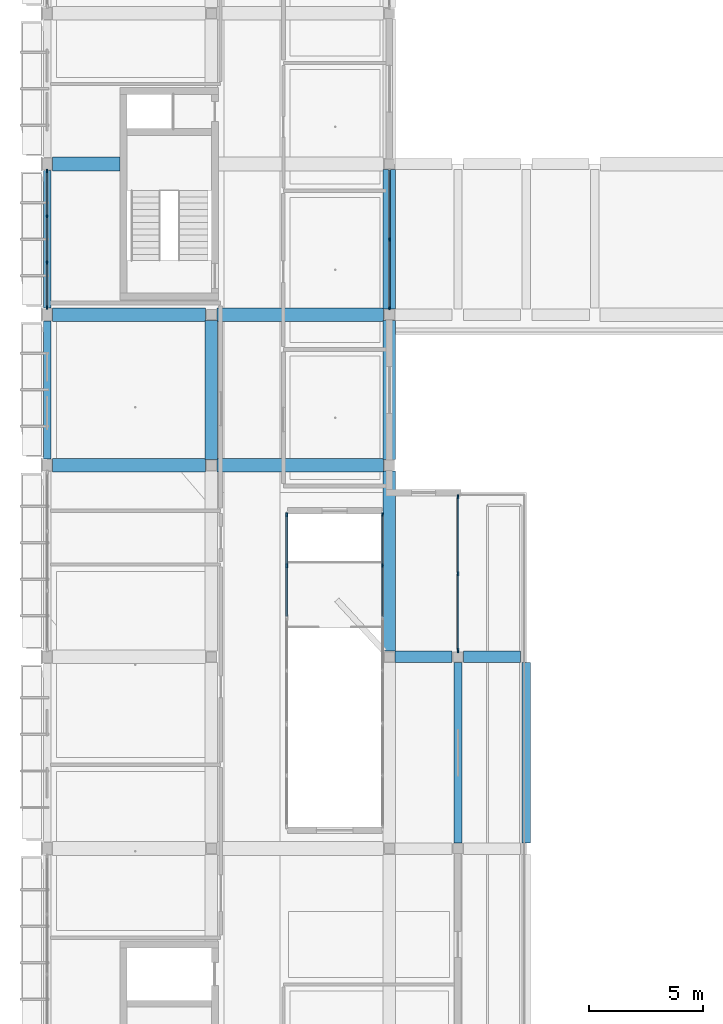
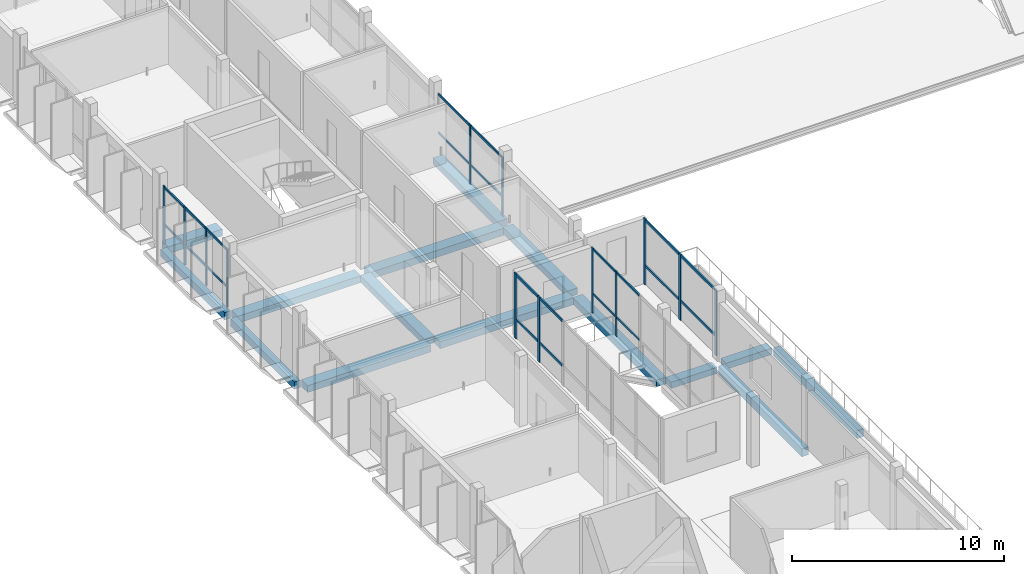
# One storey, part 8 of 86: 23 members, 15 beams, 5 elements without a shape of their own.
"""IFC4 building model written with IfcOpenShell, lengths in metres."""

from ifc_helpers import new_model, si_unit, derived_unit, direction, frame, origin, origin_2d, place, context, subcontext, project, spatial, rectangle, extrude, material, material_profile, profile_set, type_object, element, aggregate, save


model = new_model("IFC4")

# Units and contexts
model_context = context("Model", 3, precision=1e-05, world=origin(), true_north=direction((0.0, 1.0)))
body_context = subcontext(model_context, "Body", "Model", "MODEL_VIEW")
ifc_project = project(units=[si_unit("LENGTHUNIT", "METRE"), si_unit("AREAUNIT", "SQUARE_METRE"), si_unit("VOLUMEUNIT", "CUBIC_METRE"), si_unit("PLANEANGLEUNIT", "RADIAN"), si_unit("MASSUNIT", "GRAM", prefix="KILO"), derived_unit("THERMALTRANSMITTANCEUNIT", [(si_unit("POWERUNIT", "WATT"), 1), (si_unit("LENGTHUNIT", "METRE"), -2), (si_unit("THERMODYNAMICTEMPERATUREUNIT", "KELVIN"), -1)])], contexts=[model_context])

# Site, building, storey
site_placement = place(None, origin())
site = spatial("IfcSite", under=ifc_project, at=site_placement, CompositionType="ELEMENT")
building_placement = place(site_placement, origin())
building = spatial("IfcBuilding", under=site, at=building_placement, Name="Braskholm Square Health Centre", CompositionType="ELEMENT")
storey_placement = place(building_placement, frame((0.0, 0.0, 13.5)))
storey = spatial("IfcBuildingStorey", under=building, at=storey_placement, Name="L04", CompositionType="ELEMENT", Elevation=13.5)

# Curtain wall, members
ifc_material_1 = material(Name="Low-E triple insulating glass (VLT 0.64)", Category="glass")
curtain_wall_type_1 = type_object("IfcCurtainWallType", Name="UnitisedCurtainWall6200x3650", PredefinedType="NOTDEFINED", material=ifc_material_1)
curtain_wall_1_placement = place(storey_placement, origin())
curtain_wall_1 = element("IfcCurtainWall", 1, at=curtain_wall_1_placement, inside=storey, type_object=curtain_wall_type_1, Name="West Outer unitised curtain wall CW-L04-0028", PredefinedType="NOTDEFINED")
ifc_material_2 = material(Name="Architectural bronze anodised aluminium", Category="aluminium")
ifc_material_profile_1 = material_profile(ifc_material_2, rectangle(XDim=0.06494140625, YDim=0.14990234375, at=origin_2d()), Name="ALU-65X150")
ifc_profile_set_1 = profile_set([ifc_material_profile_1], Name="Architectural bronze anodised aluminium")
member_type_1 = type_object("IfcMemberType", Name="CurtainWallMullion65x150", PredefinedType="MULLION", material=ifc_profile_set_1)
member_1_placement = place(storey_placement, frame((4.199951171875, 93.49365234375, 0.0), z_axis=(0.0, 0.0, 1.0), x_axis=(1.0, 0.0, 0.0)))
member_1 = element("IfcMember", 2, at=member_1_placement, type_object=member_type_1, Name="CW-L04-0028 vertical mullion 1", PredefinedType="MULLION", context=body_context, shape_type="SweptSolid", body=[
    extrude(rectangle(XDim=0.06494140625, YDim=0.14990234375, at=origin_2d()), origin(), (0.0, 0.0, 1.0), 3.330078125),
])
member_2_placement = place(storey_placement, frame((4.199951171875, 91.510009765625, 0.0), z_axis=(0.0, 0.0, 1.0), x_axis=(1.0, 0.0, 0.0)))
member_2 = element("IfcMember", 3, at=member_2_placement, type_object=member_type_1, Name="CW-L04-0028 vertical mullion 2", PredefinedType="MULLION", context=body_context, shape_type="SweptSolid", body=[
    extrude(rectangle(XDim=0.06494140625, YDim=0.14990234375, at=origin_2d()), origin(), (0.0, 0.0, 1.0), 3.330078125),
])
member_3_placement = place(storey_placement, frame((4.199951171875, 89.489990234375, 0.0), z_axis=(0.0, 0.0, 1.0), x_axis=(1.0, 0.0, 0.0)))
member_3 = element("IfcMember", 4, at=member_3_placement, type_object=member_type_1, Name="CW-L04-0028 vertical mullion 3", PredefinedType="MULLION", context=body_context, shape_type="SweptSolid", body=[
    extrude(rectangle(XDim=0.06494140625, YDim=0.14990234375, at=origin_2d()), origin(), (0.0, 0.0, 1.0), 3.330078125),
])
member_4_placement = place(storey_placement, frame((4.199951171875, 87.50634765625, 0.0), z_axis=(0.0, 0.0, 1.0), x_axis=(1.0, 0.0, 0.0)))
member_4 = element("IfcMember", 5, at=member_4_placement, type_object=member_type_1, Name="CW-L04-0028 vertical mullion 4", PredefinedType="MULLION", context=body_context, shape_type="SweptSolid", body=[
    extrude(rectangle(XDim=0.06494140625, YDim=0.14990234375, at=origin_2d()), origin(), (0.0, 0.0, 1.0), 3.330078125),
])

curtain_wall_2_placement = place(storey_placement, origin())
curtain_wall_2 = element("IfcCurtainWall", 6, at=curtain_wall_2_placement, inside=storey, type_object=curtain_wall_type_1, Name="West Valley unitised curtain wall CW-L04-0100", PredefinedType="NOTDEFINED")
member_5_placement = place(storey_placement, frame((19.199951171875, 87.476806640625, 0.0), z_axis=(0.0, 0.0, 1.0), x_axis=(1.0, 0.0, 0.0)))
member_5 = element("IfcMember", 7, at=member_5_placement, type_object=member_type_1, Name="CW-L04-0100 vertical mullion 1", PredefinedType="MULLION", context=body_context, shape_type="SweptSolid", body=[
    extrude(rectangle(XDim=0.06494140625, YDim=0.14990234375, at=origin_2d()), origin(), (0.0, 0.0, 1.0), 3.419921875),
])
member_6_placement = place(storey_placement, frame((19.199951171875, 90.5, 0.0), z_axis=(0.0, 0.0, 1.0), x_axis=(1.0, 0.0, 0.0)))
member_6 = element("IfcMember", 8, at=member_6_placement, type_object=member_type_1, Name="CW-L04-0100 vertical mullion 2", PredefinedType="MULLION", context=body_context, shape_type="SweptSolid", body=[
    extrude(rectangle(XDim=0.06494140625, YDim=0.14990234375, at=origin_2d()), origin(), (0.0, 0.0, 1.0), 3.419921875),
])

curtain_wall_type_2 = type_object("IfcCurtainWallType", Name="UnitisedCurtainWall4800x3800", PredefinedType="NOTDEFINED", material=ifc_material_1)
curtain_wall_3_placement = place(storey_placement, origin())
curtain_wall_3 = element("IfcCurtainWall", 9, at=curtain_wall_3_placement, inside=storey, type_object=curtain_wall_type_2, Name="WC2 Court E unitised curtain wall CW-L04-0308", PredefinedType="NOTDEFINED")
member_7_placement = place(storey_placement, frame((18.89990234375, 78.432861328125, 0.0), z_axis=(0.0, 0.0, 1.0), x_axis=(1.0, 0.0, 0.0)))
member_7 = element("IfcMember", 10, at=member_7_placement, type_object=member_type_1, Name="CW-L04-0308 vertical mullion 1", PredefinedType="MULLION", context=body_context, shape_type="SweptSolid", body=[
    extrude(rectangle(XDim=0.06494140625, YDim=0.14990234375, at=origin_2d()), origin(), (0.0, 0.0, 1.0), 3.75),
])
member_8_placement = place(storey_placement, frame((18.89990234375, 76.198974609375, 0.0), z_axis=(0.0, 0.0, 1.0), x_axis=(1.0, 0.0, 0.0)))
member_8 = element("IfcMember", 11, at=member_8_placement, type_object=member_type_1, Name="CW-L04-0308 vertical mullion 2", PredefinedType="MULLION", context=body_context, shape_type="SweptSolid", body=[
    extrude(rectangle(XDim=0.06494140625, YDim=0.14990234375, at=origin_2d()), origin(), (0.0, 0.0, 1.0), 3.75),
])

curtain_wall_type_3 = type_object("IfcCurtainWallType", Name="UnitisedCurtainWall6200x3800", PredefinedType="NOTDEFINED", material=ifc_material_1)
curtain_wall_4_placement = place(storey_placement, origin())
curtain_wall_4 = element("IfcCurtainWall", 12, at=curtain_wall_4_placement, inside=storey, type_object=curtain_wall_type_3, Name="West Valley unitised curtain wall CW-L04-0099", PredefinedType="NOTDEFINED")
ifc_material_profile_2 = material_profile(ifc_material_2, rectangle(XDim=0.074951171875, YDim=0.179931640625, at=origin_2d()), Name="ALU-75X180")
ifc_profile_set_2 = profile_set([ifc_material_profile_2], Name="Architectural bronze anodised aluminium")
member_type_2 = type_object("IfcMemberType", Name="CurtainWallMullion75x180", PredefinedType="MULLION", material=ifc_profile_set_2)
member_9_placement = place(storey_placement, frame((22.199951171875, 72.48095703125, 0.0), z_axis=(0.0, 0.0, 1.0), x_axis=(1.0, 0.0, 0.0)))
member_9 = element("IfcMember", 13, at=member_9_placement, type_object=member_type_2, Name="CW-L04-0099 vertical mullion 1", PredefinedType="MULLION", context=body_context, shape_type="SweptSolid", body=[
    extrude(rectangle(XDim=0.074951171875, YDim=0.179931640625, at=origin_2d()), origin(), (0.0, 0.0, 1.0), 3.800048828125),
])
member_10_placement = place(storey_placement, frame((22.199951171875, 75.84912109375, 0.0), z_axis=(0.0, 0.0, 1.0), x_axis=(1.0, 0.0, 0.0)))
member_10 = element("IfcMember", 14, at=member_10_placement, type_object=member_type_2, Name="CW-L04-0099 vertical mullion 2", PredefinedType="MULLION", context=body_context, shape_type="SweptSolid", body=[
    extrude(rectangle(XDim=0.074951171875, YDim=0.179931640625, at=origin_2d()), origin(), (0.0, 0.0, 1.0), 3.800048828125),
])
member_11_placement = place(storey_placement, frame((22.199951171875, 79.217041015625, 0.0), z_axis=(0.0, 0.0, 1.0), x_axis=(1.0, 0.0, 0.0)))
member_11 = element("IfcMember", 15, at=member_11_placement, type_object=member_type_2, Name="CW-L04-0099 vertical mullion 3", PredefinedType="MULLION", context=body_context, shape_type="SweptSolid", body=[
    extrude(rectangle(XDim=0.074951171875, YDim=0.179931640625, at=origin_2d()), origin(), (0.0, 0.0, 1.0), 3.800048828125),
])

curtain_wall_5_placement = place(storey_placement, origin())
curtain_wall_5 = element("IfcCurtainWall", 16, at=curtain_wall_5_placement, inside=storey, type_object=curtain_wall_type_2, Name="WC2 Court W unitised curtain wall CW-L04-0307", PredefinedType="NOTDEFINED")
member_12_placement = place(storey_placement, frame((14.699951171875, 76.198974609375, 0.0), z_axis=(0.0, 0.0, 1.0), x_axis=(1.0, 0.0, 0.0)))
member_12 = element("IfcMember", 17, at=member_12_placement, type_object=member_type_2, Name="CW-L04-0307 vertical mullion 2", PredefinedType="MULLION", context=body_context, shape_type="SweptSolid", body=[
    extrude(rectangle(XDim=0.074951171875, YDim=0.179931640625, at=origin_2d()), origin(), (0.0, 0.0, 1.0), 3.75),
])
member_13_placement = place(storey_placement, frame((14.699951171875, 78.432861328125, 0.0), z_axis=(0.0, 0.0, 1.0), x_axis=(1.0, 0.0, 0.0)))
member_13 = element("IfcMember", 18, at=member_13_placement, type_object=member_type_2, Name="CW-L04-0307 vertical mullion 3", PredefinedType="MULLION", context=body_context, shape_type="SweptSolid", body=[
    extrude(rectangle(XDim=0.074951171875, YDim=0.179931640625, at=origin_2d()), origin(), (0.0, 0.0, 1.0), 3.75),
])

# Member
ifc_material_profile_3 = material_profile(ifc_material_2, rectangle(XDim=0.06494140625, YDim=0.1201171875, at=origin_2d()), Name="ALU-65X120")
ifc_profile_set_3 = profile_set([ifc_material_profile_3], Name="Architectural bronze anodised aluminium")
member_type_3 = type_object("IfcMemberType", Name="CurtainWallTransom65x120", PredefinedType="USERDEFINED", material=ifc_profile_set_3)
member_14_placement = place(storey_placement, frame((4.199951171875, 93.485107421875, 1.1201171875), z_axis=(0.0, -1.0, 0.0), x_axis=(1.0, 0.0, 0.0)))
member_14 = element("IfcMember", 19, at=member_14_placement, type_object=member_type_3, Name="CW-L04-0028 horizontal transom 1", ObjectType="TRANSOM", PredefinedType="USERDEFINED", context=body_context, shape_type="SweptSolid", body=[
    extrude(rectangle(XDim=0.06494140625, YDim=0.1201171875, at=origin_2d()), origin(), (0.0, 0.0, 1.0), 5.97021484375),
])

member_15_placement = place(storey_placement, frame((4.199951171875, 93.485107421875, 3.260009765625), z_axis=(0.0, -1.0, 0.0), x_axis=(1.0, 0.0, 0.0)))
member_15 = element("IfcMember", 20, at=member_15_placement, type_object=member_type_3, Name="CW-L04-0028 horizontal transom 2", ObjectType="TRANSOM", PredefinedType="USERDEFINED", context=body_context, shape_type="SweptSolid", body=[
    extrude(rectangle(XDim=0.06494140625, YDim=0.1201171875, at=origin_2d()), origin(), (0.0, 0.0, 1.0), 5.97021484375),
])

aggregate(curtain_wall_1, [member_1, member_2, member_3, member_4, member_14, member_15])

member_16_placement = place(storey_placement, frame((19.199951171875, 87.485107421875, 1.1201171875), z_axis=(0.0, 1.0, 0.0), x_axis=(-1.0, 0.0, 0.0)))
member_16 = element("IfcMember", 21, at=member_16_placement, type_object=member_type_3, Name="CW-L04-0100 horizontal transom 1", ObjectType="TRANSOM", PredefinedType="USERDEFINED", context=body_context, shape_type="SweptSolid", body=[
    extrude(rectangle(XDim=0.06494140625, YDim=0.1201171875, at=origin_2d()), origin(), (0.0, 0.0, 1.0), 6.02978515625),
])

member_17_placement = place(storey_placement, frame((19.199951171875, 87.485107421875, 3.35009765625), z_axis=(0.0, 1.0, 0.0), x_axis=(-1.0, 0.0, 0.0)))
member_17 = element("IfcMember", 22, at=member_17_placement, type_object=member_type_3, Name="CW-L04-0100 horizontal transom 2", ObjectType="TRANSOM", PredefinedType="USERDEFINED", context=body_context, shape_type="SweptSolid", body=[
    extrude(rectangle(XDim=0.06494140625, YDim=0.1201171875, at=origin_2d()), origin(), (0.0, 0.0, 1.0), 6.02978515625),
])

aggregate(curtain_wall_2, [member_5, member_6, member_16, member_17])

member_18_placement = place(storey_placement, frame((18.89990234375, 78.4150390625, 1.1201171875), z_axis=(0.0, -1.0, 0.0), x_axis=(1.0, 0.0, 0.0)))
member_18 = element("IfcMember", 23, at=member_18_placement, type_object=member_type_3, Name="CW-L04-0308 horizontal transom 1", ObjectType="TRANSOM", PredefinedType="USERDEFINED", context=body_context, shape_type="SweptSolid", body=[
    extrude(rectangle(XDim=0.06494140625, YDim=0.1201171875, at=origin_2d()), origin(), (0.0, 0.0, 1.0), 4.43212890625),
])

member_19_placement = place(storey_placement, frame((18.89990234375, 78.4150390625, 3.679931640625), z_axis=(0.0, -1.0, 0.0), x_axis=(1.0, 0.0, 0.0)))
member_19 = element("IfcMember", 24, at=member_19_placement, type_object=member_type_3, Name="CW-L04-0308 horizontal transom 2", ObjectType="TRANSOM", PredefinedType="USERDEFINED", context=body_context, shape_type="SweptSolid", body=[
    extrude(rectangle(XDim=0.06494140625, YDim=0.1201171875, at=origin_2d()), origin(), (0.0, 0.0, 1.0), 4.43212890625),
])

aggregate(curtain_wall_3, [member_7, member_8, member_18, member_19])

ifc_material_profile_4 = material_profile(ifc_material_2, rectangle(XDim=0.074951171875, YDim=0.139892578125, at=origin_2d()), Name="ALU-75X140")
ifc_profile_set_4 = profile_set([ifc_material_profile_4], Name="Architectural bronze anodised aluminium")
member_type_4 = type_object("IfcMemberType", Name="CurtainWallTransom75x140", PredefinedType="USERDEFINED", material=ifc_profile_set_4)
member_20_placement = place(storey_placement, frame((22.199951171875, 72.485107421875, 1.1201171875), z_axis=(0.0, 1.0, 0.0), x_axis=(-1.0, 0.0, 0.0)))
member_20 = element("IfcMember", 25, at=member_20_placement, type_object=member_type_4, Name="CW-L04-0099 horizontal transom 1", ObjectType="TRANSOM", PredefinedType="USERDEFINED", context=body_context, shape_type="SweptSolid", body=[
    extrude(rectangle(XDim=0.074951171875, YDim=0.139892578125, at=origin_2d()), origin(), (0.0, 0.0, 1.0), 6.727783203125),
])

member_21_placement = place(storey_placement, frame((22.199951171875, 72.485107421875, 3.72998046875), z_axis=(0.0, 1.0, 0.0), x_axis=(-1.0, 0.0, 0.0)))
member_21 = element("IfcMember", 26, at=member_21_placement, type_object=member_type_4, Name="CW-L04-0099 horizontal transom 2", ObjectType="TRANSOM", PredefinedType="USERDEFINED", context=body_context, shape_type="SweptSolid", body=[
    extrude(rectangle(XDim=0.074951171875, YDim=0.139892578125, at=origin_2d()), origin(), (0.0, 0.0, 1.0), 6.727783203125),
])

aggregate(curtain_wall_4, [member_9, member_10, member_11, member_20, member_21])

member_22_placement = place(storey_placement, frame((14.699951171875, 73.98291015625, 1.1201171875), z_axis=(0.0, 1.0, 0.0), x_axis=(-1.0, 0.0, 0.0)))
member_22 = element("IfcMember", 27, at=member_22_placement, type_object=member_type_4, Name="CW-L04-0307 horizontal transom 1", ObjectType="TRANSOM", PredefinedType="USERDEFINED", context=body_context, shape_type="SweptSolid", body=[
    extrude(rectangle(XDim=0.074951171875, YDim=0.139892578125, at=origin_2d()), origin(), (0.0, 0.0, 1.0), 4.43212890625),
])

member_23_placement = place(storey_placement, frame((14.699951171875, 73.98291015625, 3.679931640625), z_axis=(0.0, 1.0, 0.0), x_axis=(-1.0, 0.0, 0.0)))
member_23 = element("IfcMember", 28, at=member_23_placement, type_object=member_type_4, Name="CW-L04-0307 horizontal transom 2", ObjectType="TRANSOM", PredefinedType="USERDEFINED", context=body_context, shape_type="SweptSolid", body=[
    extrude(rectangle(XDim=0.074951171875, YDim=0.139892578125, at=origin_2d()), origin(), (0.0, 0.0, 1.0), 4.43212890625),
])

aggregate(curtain_wall_5, [member_12, member_13, member_22, member_23])

# Beams
ifc_material_3 = material(Name="Concrete C35/45 (f'c = 35 MPa)", Category="concrete")
ifc_material_profile_5 = material_profile(ifc_material_3, rectangle(XDim=0.5, YDim=0.360107421875, at=origin_2d()), Name="RCB-500X360")
ifc_profile_set_5 = profile_set([ifc_material_profile_5], Name="Concrete C35/45 (f'c = 35 MPa)")
beam_type_1 = type_object("IfcBeamType", Name="PrimaryBandBeam500x360", PredefinedType="BEAM", material=ifc_profile_set_5)
for number, where, z_axis, x_axis, name in (
    (29, (19.449951171875, 72.199951171875, -0.47998046875), (1.0, 0.0, 0.0), (0.0, 1.0, 0.0), "Beam 3-4/L L04"),
    (30, (22.449951171875, 72.199951171875, -0.429931640625), (1.0, 0.0, 0.0), (0.0, 1.0, 0.0), "Beam 4-5/L L04"),
):
    element("IfcBeam", number, at=place(storey_placement, frame(where, z_axis=z_axis, x_axis=x_axis)), inside=storey, type_object=beam_type_1, Name=name, PredefinedType="BEAM", context=body_context, shape_type="SweptSolid", body=[
        extrude(rectangle(XDim=0.5, YDim=0.360107421875, at=origin_2d()), origin(), (0.0, 0.0, 1.0), 2.5),
    ])
ifc_material_profile_6 = material_profile(ifc_material_3, rectangle(XDim=0.550048828125, YDim=0.3798828125, at=origin_2d()), Name="RCB-550X380")
ifc_profile_set_6 = profile_set([ifc_material_profile_6], Name="Concrete C35/45 (f'c = 35 MPa)")
beam_type_2 = type_object("IfcBeamType", Name="PrimaryBandBeam550x380", PredefinedType="BEAM", material=ifc_profile_set_6)
beam_1_placement = place(storey_placement, frame((11.39990234375, 80.85009765625, -0.489990234375), z_axis=(0.0, 1.0, 0.0), x_axis=(-1.0, 0.0, 0.0)))
element("IfcBeam", 31, at=beam_1_placement, inside=storey, type_object=beam_type_2, Name="Beam 2/M-N L04", PredefinedType="BEAM", context=body_context, shape_type="SweptSolid", body=[
    extrude(rectangle(XDim=0.550048828125, YDim=0.3798828125, at=origin_2d()), origin(), (0.0, 0.0, 1.0), 6.099853515625),
])
beam_2_placement = place(storey_placement, frame((19.199951171875, 72.449951171875, -0.489990234375), z_axis=(0.0, 1.0, 0.0), x_axis=(-1.0, 0.0, 0.0)))
element("IfcBeam", 32, at=beam_2_placement, inside=storey, type_object=beam_type_2, Name="Beam 3/L-M L04", PredefinedType="BEAM", context=body_context, shape_type="SweptSolid", body=[
    extrude(rectangle(XDim=0.550048828125, YDim=0.3798828125, at=origin_2d()), origin(), (0.0, 0.0, 1.0), 7.900146484375),
])
beam_3_placement = place(storey_placement, frame((19.199951171875, 80.85009765625, -0.43994140625), z_axis=(0.0, 1.0, 0.0), x_axis=(-1.0, 0.0, 0.0)))
element("IfcBeam", 33, at=beam_3_placement, inside=storey, type_object=beam_type_2, Name="Beam 3/M-N L04", PredefinedType="BEAM", context=body_context, shape_type="SweptSolid", body=[
    extrude(rectangle(XDim=0.550048828125, YDim=0.3798828125, at=origin_2d()), origin(), (0.0, 0.0, 1.0), 6.099853515625),
])
beam_4_placement = place(storey_placement, frame((19.199951171875, 87.449951171875, -0.43994140625), z_axis=(0.0, 1.0, 0.0), x_axis=(-1.0, 0.0, 0.0)))
element("IfcBeam", 34, at=beam_4_placement, inside=storey, type_object=beam_type_2, Name="Beam 3/N-P L04", PredefinedType="BEAM", context=body_context, shape_type="SweptSolid", body=[
    extrude(rectangle(XDim=0.550048828125, YDim=0.3798828125, at=origin_2d()), origin(), (0.0, 0.0, 1.0), 6.10009765625),
])
ifc_material_profile_7 = material_profile(ifc_material_3, rectangle(XDim=0.60009765625, YDim=0.39990234375, at=origin_2d()), Name="RCB-600X400")
ifc_profile_set_7 = profile_set([ifc_material_profile_7], Name="Concrete C35/45 (f'c = 35 MPa)")
beam_type_3 = type_object("IfcBeamType", Name="PrimaryBandBeam600x400", PredefinedType="BEAM", material=ifc_profile_set_7)
beam_5_placement = place(storey_placement, frame((4.429931640625, 80.60009765625, -0.5), z_axis=(1.0, 0.0, 0.0), x_axis=(0.0, 1.0, 0.0)))
element("IfcBeam", 35, at=beam_5_placement, inside=storey, type_object=beam_type_3, Name="Beam 1-2/M L04", PredefinedType="BEAM", context=body_context, shape_type="SweptSolid", body=[
    extrude(rectangle(XDim=0.60009765625, YDim=0.39990234375, at=origin_2d()), origin(), (0.0, 0.0, 1.0), 6.719970703125),
])
beam_6_placement = place(storey_placement, frame((11.64990234375, 80.60009765625, -0.5), z_axis=(1.0, 0.0, 0.0), x_axis=(0.0, 1.0, 0.0)))
element("IfcBeam", 36, at=beam_6_placement, inside=storey, type_object=beam_type_3, Name="Beam 2-3/M L04", PredefinedType="BEAM", context=body_context, shape_type="SweptSolid", body=[
    extrude(rectangle(XDim=0.60009765625, YDim=0.39990234375, at=origin_2d()), origin(), (0.0, 0.0, 1.0), 7.300048828125),
])
beam_7_placement = place(storey_placement, frame((4.429931640625, 87.199951171875, -0.5), z_axis=(1.0, 0.0, 0.0), x_axis=(0.0, 1.0, 0.0)))
element("IfcBeam", 37, at=beam_7_placement, inside=storey, type_object=beam_type_3, Name="Beam 1-2/N L04", PredefinedType="BEAM", context=body_context, shape_type="SweptSolid", body=[
    extrude(rectangle(XDim=0.60009765625, YDim=0.39990234375, at=origin_2d()), origin(), (0.0, 0.0, 1.0), 6.719970703125),
])
beam_8_placement = place(storey_placement, frame((11.64990234375, 87.199951171875, -0.5), z_axis=(1.0, 0.0, 0.0), x_axis=(0.0, 1.0, 0.0)))
element("IfcBeam", 38, at=beam_8_placement, inside=storey, type_object=beam_type_3, Name="Beam 2-3/N L04", PredefinedType="BEAM", context=body_context, shape_type="SweptSolid", body=[
    extrude(rectangle(XDim=0.60009765625, YDim=0.39990234375, at=origin_2d()), origin(), (0.0, 0.0, 1.0), 7.300048828125),
])
beam_9_placement = place(storey_placement, frame((4.429931640625, 93.800048828125, -0.5), z_axis=(1.0, 0.0, 0.0), x_axis=(0.0, 1.0, 0.0)))
element("IfcBeam", 39, at=beam_9_placement, inside=storey, type_object=beam_type_3, Name="Beam 1-3/P L04", PredefinedType="BEAM", context=body_context, shape_type="SweptSolid", body=[
    extrude(rectangle(XDim=0.60009765625, YDim=0.39990234375, at=origin_2d()), origin(), (0.0, 0.0, 1.0), 2.969970703125),
])
ifc_material_4 = material(Name="Precast concrete C40/50 architectural white", Category="concrete")
ifc_material_profile_8 = material_profile(ifc_material_4, rectangle(XDim=0.340087890625, YDim=0.419921875, at=origin_2d()), Name="RCB-340X420")
ifc_profile_set_8 = profile_set([ifc_material_profile_8], Name="Precast concrete C40/50 architectural white")
beam_type_4 = type_object("IfcBeamType", Name="SpandrelCrownEdge340x420", PredefinedType="SPANDREL", material=ifc_profile_set_8)
for number, where, z_axis, x_axis, name in (
    (40, (4.199951171875, 80.8798828125, -0.510009765625), (0.0, 1.0, 0.0), (-1.0, 0.0, 0.0), "Beam 1/M-N L04"),
    (41, (4.199951171875, 87.47998046875, -0.510009765625), (0.0, 1.0, 0.0), (-1.0, 0.0, 0.0), "Beam 1/N-P L04"),
):
    element("IfcBeam", number, at=place(storey_placement, frame(where, z_axis=z_axis, x_axis=x_axis)), inside=storey, type_object=beam_type_4, Name=name, PredefinedType="SPANDREL", context=body_context, shape_type="SweptSolid", body=[
        extrude(rectangle(XDim=0.340087890625, YDim=0.419921875, at=origin_2d()), origin(), (0.0, 0.0, 1.0), 6.0400390625),
    ])
ifc_material_profile_9 = material_profile(ifc_material_4, rectangle(XDim=0.360107421875, YDim=0.4599609375, at=origin_2d()), Name="RCB-360X460")
ifc_profile_set_9 = profile_set([ifc_material_profile_9], Name="Precast concrete C40/50 architectural white")
beam_type_5 = type_object("IfcBeamType", Name="SpandrelTerraceEdge360x460", PredefinedType="SPANDREL", material=ifc_profile_set_9)
for number, where, z_axis, x_axis, name in (
    (42, (22.199951171875, 64.050048828125, -0.47998046875), (0.0, 1.0, 0.0), (-1.0, 0.0, 0.0), "Beam 4/K-L L04"),
    (43, (25.199951171875, 64.050048828125, -0.47998046875), (0.0, 1.0, 0.0), (-1.0, 0.0, 0.0), "Beam 5/K-L L04"),
):
    element("IfcBeam", number, at=place(storey_placement, frame(where, z_axis=z_axis, x_axis=x_axis)), inside=storey, type_object=beam_type_5, Name=name, PredefinedType="SPANDREL", context=body_context, shape_type="SweptSolid", body=[
        extrude(rectangle(XDim=0.360107421875, YDim=0.4599609375, at=origin_2d()), origin(), (0.0, 0.0, 1.0), 7.89990234375),
    ])

save(model, "model.ifc")
